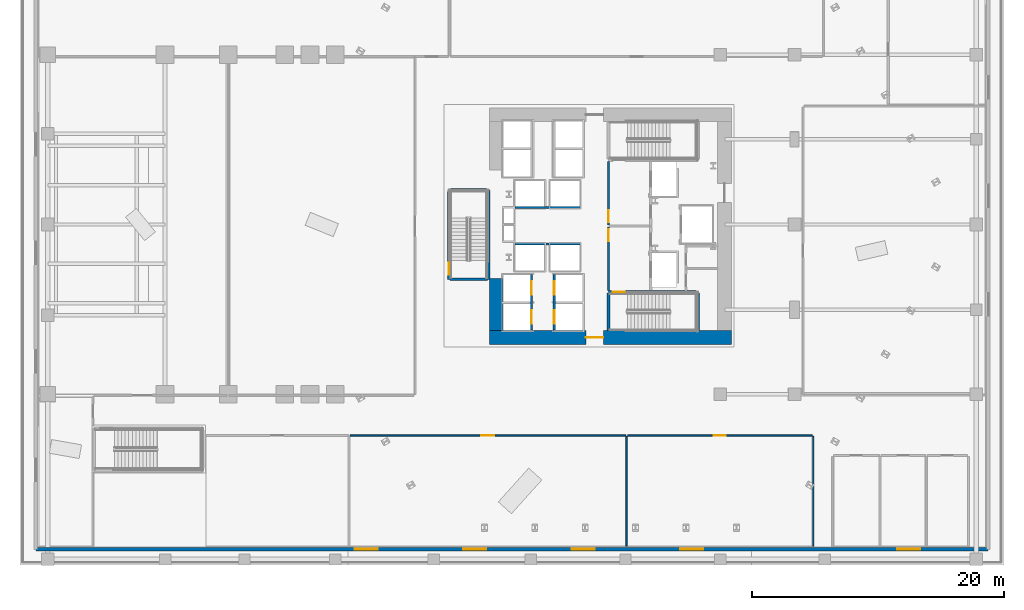
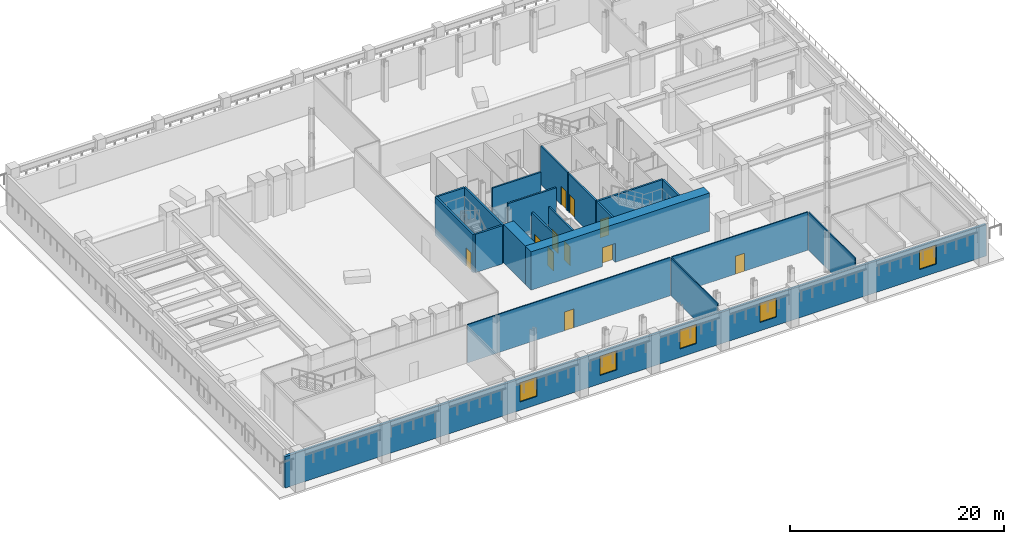
# One storey, part 4 of 18: 20 walls, 11 doors, 5 windows, 16 openings.
"""IFC4 building model written with IfcOpenShell, lengths in metres."""

from ifc_helpers import new_model, si_unit, direction, frame, frame_2d, origin, place, context, subcontext, project, spatial, rectangle, extrude, material, layer, layer_set, type_object, element, fill, save


model = new_model("IFC4")

# Units and contexts
model_context = context("Model", 3, precision=1e-05, world=origin(), true_north=direction((0.0, 1.0)))
body_context = subcontext(model_context, "Body", "Model", "MODEL_VIEW")
ifc_project = project(units=[si_unit("LENGTHUNIT", "METRE"), si_unit("AREAUNIT", "SQUARE_METRE"), si_unit("VOLUMEUNIT", "CUBIC_METRE"), si_unit("PLANEANGLEUNIT", "RADIAN"), si_unit("MASSUNIT", "GRAM", prefix="KILO")], contexts=[model_context])

# Site, building, storey
site_placement = place(None, origin())
site = spatial("IfcSite", under=ifc_project, at=site_placement, CompositionType="ELEMENT")
building_placement = place(site_placement, origin())
building = spatial("IfcBuilding", under=site, at=building_placement, Name="Valkerne Bourse Tower", CompositionType="ELEMENT")
storey_placement = place(building_placement, frame((0.0, 0.0, 14.800048828125)))
storey = spatial("IfcBuildingStorey", under=building, at=storey_placement, Name="L03", CompositionType="ELEMENT", Elevation=14.800048828125)

# Wall, opening, door
ifc_material_1 = material(Name="Concrete C70/85", Category="concrete")
ifc_layer_1 = layer(ifc_material_1, 1.10009765625)
ifc_layer_set_1 = layer_set([ifc_layer_1], Name="Concrete C70/85")
wall_type_1 = type_object("IfcWallType", Name="W-CORE-1100", PredefinedType="SHEAR", material=ifc_layer_set_1)
wall_1_placement = place(storey_placement, frame((37.199951171875, 18.050048828125, 0.0), z_axis=(0.0, 0.0, 1.0), x_axis=(1.0, 0.0, 0.0)))
wall_1 = element("IfcWall", 1, at=wall_1_placement, inside=storey, type_object=wall_type_1, Name="L03 Core Shear Wall SOUTH", PredefinedType="SHEAR", context=body_context, shape_type="SweptSolid", body=[
    extrude(rectangle(XDim=19.199951171875, YDim=1.10009765625, at=frame_2d((9.60009765625, 0.0))), origin(), (0.0, 0.0, 1.0), 4.35986328125),
])
opening_1_placement = place(wall_1_placement, frame((7.64990234375, 0.0, 0.0)))
opening_1 = element("IfcOpeningElement", 2, at=opening_1_placement, cuts=wall_1, Name="Opening D-PL-1400", PredefinedType="OPENING", context=body_context, shape_type="SweptSolid", body=[
    extrude(rectangle(XDim=1.39990234375, YDim=2.14990234375, at=frame_2d((0.699951171875, 1.074951171875))), frame((0.0, 0.56005859375, 0.0), z_axis=(0.0, -1.0, 0.0), x_axis=(1.0, 0.0, 0.0)), (0.0, 0.0, 1.0), 1.1201171875),
])
ifc_material_2 = material(Name="Galvanised Painted Steel", Category="steel")
door_type_1 = type_object("IfcDoorType", Name="DR-PLT-1400", OperationType="DOUBLE_DOOR_SINGLE_SWING", PredefinedType="DOOR", material=ifc_material_2)
door_1_placement = place(opening_1_placement, origin())
door_1 = element("IfcDoor", 3, at=door_1_placement, inside=storey, type_object=door_type_1, Name="L03 South Passenger Lift Hall Fire Door", OperationType="DOUBLE_DOOR_SINGLE_SWING", OverallHeight=2.14990234375, OverallWidth=1.39990234375, PredefinedType="DOOR", context=body_context, shape_type="SweptSolid", body=[
    extrude(rectangle(XDim=1.39990234375, YDim=2.14990234375, at=frame_2d((0.699951171875, 1.074951171875))), frame((0.0, 0.02490234375, 0.0), z_axis=(0.0, -1.0, 0.0), x_axis=(1.0, 0.0, 0.0)), (0.0, 0.0, 1.0), 0.050048828125),
])
fill(opening_1, door_1)

# Walls
wall_2_placement = place(storey_placement, frame((37.75, 18.60009765625, 0.0), z_axis=(0.0, 0.0, 1.0), x_axis=(0.0, 1.0, 0.0)))
element("IfcWall", 4, at=wall_2_placement, inside=storey, type_object=wall_type_1, Name="L03 Core Shear Wall WEST-S", PredefinedType="SHEAR", context=body_context, shape_type="SweptSolid", body=[
    extrude(rectangle(XDim=4.099853515625, YDim=1.10009765625, at=frame_2d((2.0498046875, 0.0))), origin(), (0.0, 0.0, 1.0), 4.35986328125),
])
ifc_material_3 = material(Name="Gypsum Board Steel-Stud Partition", Category="steel")
ifc_layer_2 = layer(ifc_material_3, 0.117919921875)
ifc_layer_set_2 = layer_set([ifc_layer_2], Name="Gypsum Board Steel-Stud Partition")
wall_type_2 = type_object("IfcWallType", Name="W-CORR-140", PredefinedType="PARTITIONING", material=ifc_layer_set_2)
wall_3_placement = place(storey_placement, frame((48.080078125, 1.5, 0.0), z_axis=(0.0, 0.0, 1.0), x_axis=(0.0, 1.0, 0.0)))
element("IfcWall", 5, at=wall_3_placement, inside=storey, type_object=wall_type_2, Name="L03 L03 Committee Conference Room Wall", PredefinedType="PARTITIONING", context=body_context, shape_type="SweptSolid", body=[
    extrude(rectangle(XDim=8.699951171875, YDim=0.117919921875, at=frame_2d((4.35009765625, 0.0))), origin(), (0.0, 0.0, 1.0), 4.35986328125),
])

# Wall, opening, door
wall_4_placement = place(storey_placement, frame((26.159912109375, 10.280029296875, 0.0), z_axis=(0.0, 0.0, 1.0), x_axis=(1.0, 0.0, 0.0)))
wall_4 = element("IfcWall", 6, at=wall_4_placement, inside=storey, type_object=wall_type_2, Name="L03 L03 Committee Conference Room Wall", PredefinedType="PARTITIONING", context=body_context, shape_type="SweptSolid", body=[
    extrude(rectangle(XDim=21.840087890625, YDim=0.117919921875, at=frame_2d((10.919921875, 0.0))), origin(), (0.0, 0.0, 1.0), 4.35986328125),
])
opening_2_placement = place(wall_4_placement, frame((10.419921875, 0.0, 0.0)))
opening_2 = element("IfcOpeningElement", 7, at=opening_2_placement, cuts=wall_4, Name="Opening D-MG-1000", PredefinedType="OPENING", context=body_context, shape_type="SweptSolid", body=[
    extrude(rectangle(XDim=1.0, YDim=2.14990234375, at=frame_2d((0.5, 1.074951171875))), frame((0.0, 0.06884765625, 0.0), z_axis=(0.0, -1.0, 0.0), x_axis=(1.0, 0.0, 0.0)), (0.0, 0.0, 1.0), 0.137939453125),
])
ifc_material_4 = material(Name="Laminated Tempered Safety Glass", Category="glass")
door_type_2 = type_object("IfcDoorType", Name="DR-MTG-1000", OperationType="NOTDEFINED", PredefinedType="DOOR", material=ifc_material_4)
door_2_placement = place(opening_2_placement, origin())
door_2 = element("IfcDoor", 8, at=door_2_placement, inside=storey, type_object=door_type_2, Name="L03 L03 Committee Conference Door", OperationType="SINGLE_SWING_RIGHT", OverallHeight=2.14990234375, OverallWidth=1.0, PredefinedType="DOOR", context=body_context, shape_type="SweptSolid", body=[
    extrude(rectangle(XDim=1.0, YDim=2.14990234375, at=frame_2d((0.5, 1.074951171875))), frame((0.0, 0.02490234375, 0.0), z_axis=(0.0, -1.0, 0.0), x_axis=(1.0, 0.0, 0.0)), (0.0, 0.0, 1.0), 0.050048828125),
])
fill(opening_2, door_2)

# Wall
wall_5_placement = place(storey_placement, frame((62.8798828125, 1.5, 0.0), z_axis=(0.0, 0.0, 1.0), x_axis=(0.0, 1.0, 0.0)))
element("IfcWall", 9, at=wall_5_placement, inside=storey, type_object=wall_type_2, Name="L03 L03 Archive & Supplies Store Wall", PredefinedType="PARTITIONING", context=body_context, shape_type="SweptSolid", body=[
    extrude(rectangle(XDim=8.699951171875, YDim=0.117919921875, at=frame_2d((4.35009765625, 0.0))), origin(), (0.0, 0.0, 1.0), 4.35986328125),
])

# Wall, opening, door
wall_6_placement = place(storey_placement, frame((48.159912109375, 10.280029296875, 0.0), z_axis=(0.0, 0.0, 1.0), x_axis=(1.0, 0.0, 0.0)))
wall_6 = element("IfcWall", 10, at=wall_6_placement, inside=storey, type_object=wall_type_2, Name="L03 L03 Archive & Supplies Store Wall", PredefinedType="PARTITIONING", context=body_context, shape_type="SweptSolid", body=[
    extrude(rectangle(XDim=14.64013671875, YDim=0.117919921875, at=frame_2d((7.320068359375, 0.0))), origin(), (0.0, 0.0, 1.0), 4.35986328125),
])
opening_3_placement = place(wall_6_placement, frame((6.844970703125, 0.0, 0.0)))
opening_3 = element("IfcOpeningElement", 11, at=opening_3_placement, cuts=wall_6, Name="Opening D-SV-950", PredefinedType="OPENING", context=body_context, shape_type="SweptSolid", body=[
    extrude(rectangle(XDim=0.949951171875, YDim=2.050048828125, at=frame_2d((0.47509765625, 1.02490234375))), frame((0.0, 0.06884765625, 0.0), z_axis=(0.0, -1.0, 0.0), x_axis=(1.0, 0.0, 0.0)), (0.0, 0.0, 1.0), 0.137939453125),
])
door_type_3 = type_object("IfcDoorType", Name="DR-SRV-950", OperationType="NOTDEFINED", PredefinedType="DOOR", material=ifc_material_2)
door_3_placement = place(opening_3_placement, origin())
door_3 = element("IfcDoor", 12, at=door_3_placement, inside=storey, type_object=door_type_3, Name="L03 L03 Archive Store Door", OperationType="SINGLE_SWING_RIGHT", OverallHeight=2.050048828125, OverallWidth=0.949951171875, PredefinedType="DOOR", context=body_context, shape_type="SweptSolid", body=[
    extrude(rectangle(XDim=0.949951171875, YDim=2.050048828125, at=frame_2d((0.47509765625, 1.02490234375))), frame((0.0, 0.02490234375, 0.0), z_axis=(0.0, -1.0, 0.0), x_axis=(1.0, 0.0, 0.0)), (0.0, 0.0, 1.0), 0.050048828125),
])
fill(opening_3, door_3)

# Wall, openings, windows
ifc_material_5 = material(Name="Bronze Anodised Aluminium AA 6063-T6", Category="aluminium")
ifc_layer_3 = layer(ifc_material_5, 0.300048828125)
ifc_layer_set_3 = layer_set([ifc_layer_3], Name="Bronze Anodised Aluminium AA 6063-T6")
wall_type_3 = type_object("IfcWallType", Name="W-EXT-ALUM-300", PredefinedType="STANDARD", material=ifc_layer_set_3)
wall_7_placement = place(storey_placement, frame((76.75, 1.25, 0.0), z_axis=(0.0, 0.0, 1.0), x_axis=(-1.0, 0.0, 0.0)))
wall_7 = element("IfcWall", 13, at=wall_7_placement, inside=storey, type_object=wall_type_3, Name="L03 Podium Exterior Wall SOUTH", PredefinedType="STANDARD", context=body_context, shape_type="SweptSolid", body=[
    extrude(rectangle(XDim=75.5, YDim=0.300048828125, at=frame_2d((37.75, 0.0))), origin(), (0.0, 0.0, 1.0), 3.56884765625),
])
opening_4_placement = place(wall_7_placement, frame((5.39990234375, 0.0, 0.949951171875)))
opening_4 = element("IfcOpeningElement", 14, at=opening_4_placement, cuts=wall_7, Name="Opening WN-03", PredefinedType="OPENING", context=body_context, shape_type="SweptSolid", body=[
    extrude(rectangle(XDim=1.800048828125, YDim=2.199951171875, at=frame_2d((0.89990234375, 1.10009765625))), frame((0.0, 0.159912109375, 0.0), z_axis=(0.0, -1.0, 0.0), x_axis=(1.0, 0.0, 0.0)), (0.0, 0.0, 1.0), 0.320068359375),
])
opening_5_placement = place(wall_7_placement, frame((22.60009765625, 0.0, 0.949951171875)))
opening_5 = element("IfcOpeningElement", 15, at=opening_5_placement, cuts=wall_7, Name="Opening WN-03", PredefinedType="OPENING", context=body_context, shape_type="SweptSolid", body=[
    extrude(rectangle(XDim=1.800048828125, YDim=2.199951171875, at=frame_2d((0.89990234375, 1.10009765625))), frame((0.0, 0.159912109375, 0.0), z_axis=(0.0, -1.0, 0.0), x_axis=(1.0, 0.0, 0.0)), (0.0, 0.0, 1.0), 0.320068359375),
])
opening_6_placement = place(wall_7_placement, frame((31.199951171875, 0.0, 0.949951171875)))
opening_6 = element("IfcOpeningElement", 16, at=opening_6_placement, cuts=wall_7, Name="Opening WN-03", PredefinedType="OPENING", context=body_context, shape_type="SweptSolid", body=[
    extrude(rectangle(XDim=1.800048828125, YDim=2.199951171875, at=frame_2d((0.89990234375, 1.10009765625))), frame((0.0, 0.159912109375, 0.0), z_axis=(0.0, -1.0, 0.0), x_axis=(1.0, 0.0, 0.0)), (0.0, 0.0, 1.0), 0.320068359375),
])
opening_7_placement = place(wall_7_placement, frame((39.800048828125, 0.0, 0.949951171875)))
opening_7 = element("IfcOpeningElement", 17, at=opening_7_placement, cuts=wall_7, Name="Opening WN-03", PredefinedType="OPENING", context=body_context, shape_type="SweptSolid", body=[
    extrude(rectangle(XDim=1.800048828125, YDim=2.199951171875, at=frame_2d((0.89990234375, 1.10009765625))), frame((0.0, 0.159912109375, 0.0), z_axis=(0.0, -1.0, 0.0), x_axis=(1.0, 0.0, 0.0)), (0.0, 0.0, 1.0), 0.320068359375),
])
opening_8_placement = place(wall_7_placement, frame((48.39990234375, 0.0, 0.949951171875)))
opening_8 = element("IfcOpeningElement", 18, at=opening_8_placement, cuts=wall_7, Name="Opening WN-03", PredefinedType="OPENING", context=body_context, shape_type="SweptSolid", body=[
    extrude(rectangle(XDim=1.800048828125, YDim=2.199951171875, at=frame_2d((0.89990234375, 1.10009765625))), frame((0.0, 0.159912109375, 0.0), z_axis=(0.0, -1.0, 0.0), x_axis=(1.0, 0.0, 0.0)), (0.0, 0.0, 1.0), 0.320068359375),
])
ifc_material_6 = material(Name="Glass IGU Low-E Double Glazed", Category="glass")
window_type = type_object("IfcWindowType", Name="WIN-POD-1800X2200", PartitioningType="SINGLE_PANEL", PredefinedType="WINDOW", material=ifc_material_6)
window_1_placement = place(opening_4_placement, origin())
window_1 = element("IfcWindow", 19, at=window_1_placement, inside=storey, type_object=window_type, Name="L03 Podium Low-E Window 13", OverallHeight=2.199951171875, OverallWidth=1.800048828125, PartitioningType="SINGLE_PANEL", PredefinedType="WINDOW", context=body_context, shape_type="SweptSolid", body=[
    extrude(rectangle(XDim=1.800048828125, YDim=2.199951171875, at=frame_2d((0.89990234375, 1.10009765625))), frame((0.0, 0.030029296875, 0.0), z_axis=(0.0, -1.0, 0.0), x_axis=(1.0, 0.0, 0.0)), (0.0, 0.0, 1.0), 0.06005859375),
])
fill(opening_4, window_1)
window_2_placement = place(opening_5_placement, origin())
window_2 = element("IfcWindow", 20, at=window_2_placement, inside=storey, type_object=window_type, Name="L03 Podium Low-E Window 14", OverallHeight=2.199951171875, OverallWidth=1.800048828125, PartitioningType="SINGLE_PANEL", PredefinedType="WINDOW", context=body_context, shape_type="SweptSolid", body=[
    extrude(rectangle(XDim=1.800048828125, YDim=2.199951171875, at=frame_2d((0.89990234375, 1.10009765625))), frame((0.0, 0.030029296875, 0.0), z_axis=(0.0, -1.0, 0.0), x_axis=(1.0, 0.0, 0.0)), (0.0, 0.0, 1.0), 0.06005859375),
])
fill(opening_5, window_2)
window_3_placement = place(opening_6_placement, origin())
window_3 = element("IfcWindow", 21, at=window_3_placement, inside=storey, type_object=window_type, Name="L03 Podium Low-E Window 15", OverallHeight=2.199951171875, OverallWidth=1.800048828125, PartitioningType="SINGLE_PANEL", PredefinedType="WINDOW", context=body_context, shape_type="SweptSolid", body=[
    extrude(rectangle(XDim=1.800048828125, YDim=2.199951171875, at=frame_2d((0.89990234375, 1.10009765625))), frame((0.0, 0.030029296875, 0.0), z_axis=(0.0, -1.0, 0.0), x_axis=(1.0, 0.0, 0.0)), (0.0, 0.0, 1.0), 0.06005859375),
])
fill(opening_6, window_3)
window_4_placement = place(opening_7_placement, origin())
window_4 = element("IfcWindow", 22, at=window_4_placement, inside=storey, type_object=window_type, Name="L03 Podium Low-E Window 16", OverallHeight=2.199951171875, OverallWidth=1.800048828125, PartitioningType="SINGLE_PANEL", PredefinedType="WINDOW", context=body_context, shape_type="SweptSolid", body=[
    extrude(rectangle(XDim=1.800048828125, YDim=2.199951171875, at=frame_2d((0.89990234375, 1.10009765625))), frame((0.0, 0.030029296875, 0.0), z_axis=(0.0, -1.0, 0.0), x_axis=(1.0, 0.0, 0.0)), (0.0, 0.0, 1.0), 0.06005859375),
])
fill(opening_7, window_4)
window_5_placement = place(opening_8_placement, origin())
window_5 = element("IfcWindow", 23, at=window_5_placement, inside=storey, type_object=window_type, Name="L03 Podium Low-E Window 17", OverallHeight=2.199951171875, OverallWidth=1.800048828125, PartitioningType="SINGLE_PANEL", PredefinedType="WINDOW", context=body_context, shape_type="SweptSolid", body=[
    extrude(rectangle(XDim=1.800048828125, YDim=2.199951171875, at=frame_2d((0.89990234375, 1.10009765625))), frame((0.0, 0.030029296875, 0.0), z_axis=(0.0, -1.0, 0.0), x_axis=(1.0, 0.0, 0.0)), (0.0, 0.0, 1.0), 0.06005859375),
])
fill(opening_8, window_5)

# Wall, opening, door
ifc_material_7 = material(Name="Gypsum Fire-Rated Shaftwall", Category="gypsum")
ifc_layer_4 = layer(ifc_material_7, 0.179931640625)
ifc_layer_set_4 = layer_set([ifc_layer_4], Name="Gypsum Fire-Rated Shaftwall")
wall_type_4 = type_object("IfcWallType", Name="W-FSAE-180", PredefinedType="PARTITIONING", material=ifc_layer_set_4)
wall_8_placement = place(storey_placement, frame((46.64990234375, 21.75, 0.0), z_axis=(0.0, 0.0, 1.0), x_axis=(0.0, 1.0, 0.0)))
wall_8 = element("IfcWall", 24, at=wall_8_placement, inside=storey, type_object=wall_type_4, Name="L03 FSAE-1 Lobby West Fire Wall", PredefinedType="PARTITIONING", context=body_context, shape_type="SweptSolid", body=[
    extrude(rectangle(XDim=5.050048828125, YDim=0.179931640625, at=frame_2d((2.52490234375, 0.0))), origin(), (0.0, 0.0, 1.0), 4.35986328125),
])
opening_9_placement = place(wall_8_placement, frame((3.919921875, 0.0, 0.0)))
opening_9 = element("IfcOpeningElement", 25, at=opening_9_placement, cuts=wall_8, Name="Opening D-FS-950", PredefinedType="OPENING", context=body_context, shape_type="SweptSolid", body=[
    extrude(rectangle(XDim=0.949951171875, YDim=2.10009765625, at=frame_2d((0.47509765625, 1.050048828125))), frame((0.0, 0.099853515625, 0.0), z_axis=(0.0, -1.0, 0.0), x_axis=(1.0, 0.0, 0.0)), (0.0, 0.0, 1.0), 0.199951171875),
])
door_type_4 = type_object("IfcDoorType", Name="DR-FSAE-950", OperationType="NOTDEFINED", PredefinedType="DOOR", material=ifc_material_2)
door_4_placement = place(opening_9_placement, origin())
door_4 = element("IfcDoor", 26, at=door_4_placement, inside=storey, type_object=door_type_4, Name="L03 FSAE-1 Hall Link Fire Door", OperationType="SINGLE_SWING_LEFT", OverallHeight=2.10009765625, OverallWidth=0.949951171875, PredefinedType="DOOR", context=body_context, shape_type="SweptSolid", body=[
    extrude(rectangle(XDim=0.949951171875, YDim=2.10009765625, at=frame_2d((0.47509765625, 1.050048828125))), frame((0.0, 0.02490234375, 0.0), z_axis=(0.0, -1.0, 0.0), x_axis=(1.0, 0.0, 0.0)), (0.0, 0.0, 1.0), 0.050048828125),
])
fill(opening_9, door_4)

wall_9_placement = place(storey_placement, frame((46.64990234375, 26.9599609375, 0.0), z_axis=(0.0, 0.0, 1.0), x_axis=(0.0, 1.0, 0.0)))
wall_9 = element("IfcWall", 27, at=wall_9_placement, inside=storey, type_object=wall_type_4, Name="L03 FSAE-2 Lobby West Fire Wall", PredefinedType="PARTITIONING", context=body_context, shape_type="SweptSolid", body=[
    extrude(rectangle(XDim=5.0400390625, YDim=0.179931640625, at=frame_2d((2.52001953125, 0.0))), origin(), (0.0, 0.0, 1.0), 4.35986328125),
])
opening_10_placement = place(wall_9_placement, frame((0.219970703125, 0.0, 0.0)))
opening_10 = element("IfcOpeningElement", 28, at=opening_10_placement, cuts=wall_9, Name="Opening D-FS-950", PredefinedType="OPENING", context=body_context, shape_type="SweptSolid", body=[
    extrude(rectangle(XDim=0.949951171875, YDim=2.10009765625, at=frame_2d((0.47509765625, 1.050048828125))), frame((0.0, 0.099853515625, 0.0), z_axis=(0.0, -1.0, 0.0), x_axis=(1.0, 0.0, 0.0)), (0.0, 0.0, 1.0), 0.199951171875),
])
door_5_placement = place(opening_10_placement, origin())
door_5 = element("IfcDoor", 29, at=door_5_placement, inside=storey, type_object=door_type_4, Name="L03 FSAE-2 Hall Link Fire Door", OperationType="SINGLE_SWING_LEFT", OverallHeight=2.10009765625, OverallWidth=0.949951171875, PredefinedType="DOOR", context=body_context, shape_type="SweptSolid", body=[
    extrude(rectangle(XDim=0.949951171875, YDim=2.10009765625, at=frame_2d((0.47509765625, 1.050048828125))), frame((0.0, 0.02490234375, 0.0), z_axis=(0.0, -1.0, 0.0), x_axis=(1.0, 0.0, 0.0)), (0.0, 0.0, 1.0), 0.050048828125),
])
fill(opening_10, door_5)

# Wall, openings, doors
ifc_material_8 = material(Name="CMU Blockwork Masonry 200mm", Category="masonry")
ifc_layer_5 = layer(ifc_material_8, 0.179931640625)
ifc_layer_set_5 = layer_set([ifc_layer_5], Name="CMU Blockwork Masonry 200mm")
wall_type_5 = type_object("IfcWallType", Name="W-LFT-180", PredefinedType="SOLIDWALL", material=ifc_layer_set_5)
wall_10_placement = place(storey_placement, frame((40.550048828125, 18.6201171875, 0.0), z_axis=(0.0, 0.0, 1.0), x_axis=(0.0, 1.0, 0.0)))
wall_10 = element("IfcWall", 30, at=wall_10_placement, inside=storey, type_object=wall_type_5, Name="L03 Low-Zone West Cars Front Wall", PredefinedType="SOLIDWALL", context=body_context, shape_type="SweptSolid", body=[
    extrude(rectangle(XDim=4.429931640625, YDim=0.179931640625, at=frame_2d((2.21484375, 0.0))), origin(), (0.0, 0.0, 1.0), 4.35986328125),
])
opening_11_placement = place(wall_10_placement, frame((0.5, 0.0, 0.0)))
opening_11 = element("IfcOpeningElement", 31, at=opening_11_placement, cuts=wall_10, Name="Opening LD-1100", PredefinedType="OPENING", context=body_context, shape_type="SweptSolid", body=[
    extrude(rectangle(XDim=1.10009765625, YDim=2.14990234375, at=frame_2d((0.550048828125, 1.074951171875))), frame((0.0, 0.099853515625, 0.0), z_axis=(0.0, -1.0, 0.0), x_axis=(1.0, 0.0, 0.0)), (0.0, 0.0, 1.0), 0.199951171875),
])
opening_12_placement = place(wall_10_placement, frame((2.800048828125, 0.0, 0.0)))
opening_12 = element("IfcOpeningElement", 32, at=opening_12_placement, cuts=wall_10, Name="Opening LD-1100", PredefinedType="OPENING", context=body_context, shape_type="SweptSolid", body=[
    extrude(rectangle(XDim=1.10009765625, YDim=2.14990234375, at=frame_2d((0.550048828125, 1.074951171875))), frame((0.0, 0.099853515625, 0.0), z_axis=(0.0, -1.0, 0.0), x_axis=(1.0, 0.0, 0.0)), (0.0, 0.0, 1.0), 0.199951171875),
])
ifc_material_9 = material(Name="Stainless Steel AISI 316", Category="steel")
door_type_5 = type_object("IfcDoorType", Name="DR-LIFT-1100", OperationType="DOUBLE_DOOR_SLIDING", PredefinedType="DOOR", material=ifc_material_9)
door_6_placement = place(opening_11_placement, origin())
door_6 = element("IfcDoor", 33, at=door_6_placement, inside=storey, type_object=door_type_5, Name="L03 Passenger Lift PL-L1 Sliding Landing Door", OperationType="DOUBLE_DOOR_SLIDING", OverallHeight=2.14990234375, OverallWidth=1.10009765625, PredefinedType="DOOR", context=body_context, shape_type="SweptSolid", body=[
    extrude(rectangle(XDim=1.10009765625, YDim=2.14990234375, at=frame_2d((0.550048828125, 1.074951171875))), frame((0.0, 0.02490234375, 0.0), z_axis=(0.0, -1.0, 0.0), x_axis=(1.0, 0.0, 0.0)), (0.0, 0.0, 1.0), 0.050048828125),
])
fill(opening_11, door_6)
door_7_placement = place(opening_12_placement, origin())
door_7 = element("IfcDoor", 34, at=door_7_placement, inside=storey, type_object=door_type_5, Name="L03 Passenger Lift PL-L2 Sliding Landing Door", OperationType="DOUBLE_DOOR_SLIDING", OverallHeight=2.14990234375, OverallWidth=1.10009765625, PredefinedType="DOOR", context=body_context, shape_type="SweptSolid", body=[
    extrude(rectangle(XDim=1.10009765625, YDim=2.14990234375, at=frame_2d((0.550048828125, 1.074951171875))), frame((0.0, 0.02490234375, 0.0), z_axis=(0.0, -1.0, 0.0), x_axis=(1.0, 0.0, 0.0)), (0.0, 0.0, 1.0), 0.050048828125),
])
fill(opening_12, door_7)

wall_11_placement = place(storey_placement, frame((42.35009765625, 18.6201171875, 0.0), z_axis=(0.0, 0.0, 1.0), x_axis=(0.0, 1.0, 0.0)))
wall_11 = element("IfcWall", 35, at=wall_11_placement, inside=storey, type_object=wall_type_5, Name="L03 Low-Zone East Cars Front Wall", PredefinedType="SOLIDWALL", context=body_context, shape_type="SweptSolid", body=[
    extrude(rectangle(XDim=4.429931640625, YDim=0.179931640625, at=frame_2d((2.21484375, 0.0))), origin(), (0.0, 0.0, 1.0), 4.35986328125),
])
opening_13_placement = place(wall_11_placement, frame((0.5, 0.0, 0.0)))
opening_13 = element("IfcOpeningElement", 36, at=opening_13_placement, cuts=wall_11, Name="Opening LD-1100", PredefinedType="OPENING", context=body_context, shape_type="SweptSolid", body=[
    extrude(rectangle(XDim=1.10009765625, YDim=2.14990234375, at=frame_2d((0.550048828125, 1.074951171875))), frame((0.0, 0.099853515625, 0.0), z_axis=(0.0, -1.0, 0.0), x_axis=(1.0, 0.0, 0.0)), (0.0, 0.0, 1.0), 0.199951171875),
])
opening_14_placement = place(wall_11_placement, frame((2.800048828125, 0.0, 0.0)))
opening_14 = element("IfcOpeningElement", 37, at=opening_14_placement, cuts=wall_11, Name="Opening LD-1100", PredefinedType="OPENING", context=body_context, shape_type="SweptSolid", body=[
    extrude(rectangle(XDim=1.10009765625, YDim=2.14990234375, at=frame_2d((0.550048828125, 1.074951171875))), frame((0.0, 0.099853515625, 0.0), z_axis=(0.0, -1.0, 0.0), x_axis=(1.0, 0.0, 0.0)), (0.0, 0.0, 1.0), 0.199951171875),
])
door_8_placement = place(opening_13_placement, origin())
door_8 = element("IfcDoor", 38, at=door_8_placement, inside=storey, type_object=door_type_5, Name="L03 Passenger Lift PL-L3 Sliding Landing Door", OperationType="DOUBLE_DOOR_SLIDING", OverallHeight=2.14990234375, OverallWidth=1.10009765625, PredefinedType="DOOR", context=body_context, shape_type="SweptSolid", body=[
    extrude(rectangle(XDim=1.10009765625, YDim=2.14990234375, at=frame_2d((0.550048828125, 1.074951171875))), frame((0.0, 0.02490234375, 0.0), z_axis=(0.0, -1.0, 0.0), x_axis=(1.0, 0.0, 0.0)), (0.0, 0.0, 1.0), 0.050048828125),
])
fill(opening_13, door_8)
door_9_placement = place(opening_14_placement, origin())
door_9 = element("IfcDoor", 39, at=door_9_placement, inside=storey, type_object=door_type_5, Name="L03 Passenger Lift PL-L4 Sliding Landing Door", OperationType="DOUBLE_DOOR_SLIDING", OverallHeight=2.14990234375, OverallWidth=1.10009765625, PredefinedType="DOOR", context=body_context, shape_type="SweptSolid", body=[
    extrude(rectangle(XDim=1.10009765625, YDim=2.14990234375, at=frame_2d((0.550048828125, 1.074951171875))), frame((0.0, 0.02490234375, 0.0), z_axis=(0.0, -1.0, 0.0), x_axis=(1.0, 0.0, 0.0)), (0.0, 0.0, 1.0), 0.050048828125),
])
fill(opening_14, door_9)

# Walls
for number, where, z_axis, x_axis, name in (
    (40, (39.25, 25.449951171875, 0.0), (0.0, 0.0, 1.0), (1.0, 0.0, 0.0), "L03 High-Zone South Cars Front Wall"),
    (41, (39.25, 28.35009765625, 0.0), (0.0, 0.0, 1.0), (1.0, 0.0, 0.0), "L03 High-Zone North Cars Front Wall"),
):
    element("IfcWall", number, at=place(storey_placement, frame(where, z_axis=z_axis, x_axis=x_axis)), inside=storey, type_object=wall_type_5, Name=name, PredefinedType="SOLIDWALL", context=body_context, shape_type="SweptSolid", body=[
        extrude(rectangle(XDim=5.199951171875, YDim=0.179931640625, at=frame_2d((2.60009765625, 0.0))), origin(), (0.0, 0.0, 1.0), 4.35986328125),
    ])

# Wall, opening, door
ifc_material_10 = material(Name="Concrete C40/50", Category="concrete")
ifc_layer_6 = layer(ifc_material_10, 0.199951171875)
ifc_layer_set_6 = layer_set([ifc_layer_6], Name="Concrete C40/50")
wall_type_6 = type_object("IfcWallType", Name="W-SHF-200", PredefinedType="SHEAR", material=ifc_layer_set_6)
wall_12_placement = place(storey_placement, frame((46.64990234375, 21.64990234375, 0.0), z_axis=(0.0, 0.0, 1.0), x_axis=(1.0, 0.0, 0.0)))
wall_12 = element("IfcWall", 42, at=wall_12_placement, inside=storey, type_object=wall_type_6, Name="L03 Exit Stair ST-1 Structural Shaft Wall North", PredefinedType="SHEAR", context=body_context, shape_type="SweptSolid", body=[
    extrude(rectangle(XDim=7.10009765625, YDim=0.199951171875, at=frame_2d((3.550048828125, 0.0))), origin(), (0.0, 0.0, 1.0), 4.35986328125),
])
opening_15_placement = place(wall_12_placement, frame((0.35009765625, 0.0, 0.0)))
opening_15 = element("IfcOpeningElement", 43, at=opening_15_placement, cuts=wall_12, Name="Opening D-ST-950", PredefinedType="OPENING", context=body_context, shape_type="SweptSolid", body=[
    extrude(rectangle(XDim=0.949951171875, YDim=2.10009765625, at=frame_2d((0.47509765625, 1.050048828125))), frame((0.0, 0.10986328125, 0.0), z_axis=(0.0, -1.0, 0.0), x_axis=(1.0, 0.0, 0.0)), (0.0, 0.0, 1.0), 0.219970703125),
])
door_type_6 = type_object("IfcDoorType", Name="DR-STAIR-950", OperationType="NOTDEFINED", PredefinedType="DOOR", material=ifc_material_2)
door_10_placement = place(opening_15_placement, origin())
door_10 = element("IfcDoor", 44, at=door_10_placement, inside=storey, type_object=door_type_6, Name="L03 Exit Stair ST-1 Door", OperationType="SINGLE_SWING_RIGHT", OverallHeight=2.10009765625, OverallWidth=0.949951171875, PredefinedType="DOOR", context=body_context, shape_type="SweptSolid", body=[
    extrude(rectangle(XDim=0.949951171875, YDim=2.10009765625, at=frame_2d((0.47509765625, 1.050048828125))), frame((0.0, 0.02490234375, 0.0), z_axis=(0.0, -1.0, 0.0), x_axis=(1.0, 0.0, 0.0)), (0.0, 0.0, 1.0), 0.050048828125),
])
fill(opening_15, door_10)

# Walls
for number, where, z_axis, x_axis, name in (
    (45, (46.64990234375, 18.60009765625, 0.0), (0.0, 0.0, 1.0), (0.0, 1.0, 0.0), "L03 Exit Stair ST-1 Structural Shaft Wall West"),
    (46, (53.75, 18.60009765625, 0.0), (0.0, 0.0, 1.0), (0.0, 1.0, 0.0), "L03 Exit Stair ST-1 Structural Shaft Wall East"),
):
    element("IfcWall", number, at=place(storey_placement, frame(where, z_axis=z_axis, x_axis=x_axis)), inside=storey, type_object=wall_type_6, Name=name, PredefinedType="SHEAR", context=body_context, shape_type="SweptSolid", body=[
        extrude(rectangle(XDim=2.949951171875, YDim=0.199951171875, at=frame_2d((1.47509765625, 0.0))), origin(), (0.0, 0.0, 1.0), 4.35986328125),
    ])

# Wall, opening, door
wall_13_placement = place(storey_placement, frame((34.0, 22.64990234375, 0.0), z_axis=(0.0, 0.0, 1.0), x_axis=(0.0, 1.0, 0.0)))
wall_13 = element("IfcWall", 47, at=wall_13_placement, inside=storey, type_object=wall_type_6, Name="L03 Exit Stair ST-3 Structural Shaft Wall West", PredefinedType="SHEAR", context=body_context, shape_type="SweptSolid", body=[
    extrude(rectangle(XDim=7.10009765625, YDim=0.199951171875, at=frame_2d((3.550048828125, 0.0))), origin(), (0.0, 0.0, 1.0), 4.35986328125),
])
opening_16_placement = place(wall_13_placement, frame((0.35009765625, 0.0, 0.0)))
opening_16 = element("IfcOpeningElement", 48, at=opening_16_placement, cuts=wall_13, Name="Opening D-ST-950", PredefinedType="OPENING", context=body_context, shape_type="SweptSolid", body=[
    extrude(rectangle(XDim=0.949951171875, YDim=2.10009765625, at=frame_2d((0.47509765625, 1.050048828125))), frame((0.0, 0.10986328125, 0.0), z_axis=(0.0, -1.0, 0.0), x_axis=(1.0, 0.0, 0.0)), (0.0, 0.0, 1.0), 0.219970703125),
])
door_11_placement = place(opening_16_placement, origin())
door_11 = element("IfcDoor", 49, at=door_11_placement, inside=storey, type_object=door_type_6, Name="L03 Exit Stair ST-3 Door", OperationType="SINGLE_SWING_RIGHT", OverallHeight=2.10009765625, OverallWidth=0.949951171875, PredefinedType="DOOR", context=body_context, shape_type="SweptSolid", body=[
    extrude(rectangle(XDim=0.949951171875, YDim=2.10009765625, at=frame_2d((0.47509765625, 1.050048828125))), frame((0.0, 0.02490234375, 0.0), z_axis=(0.0, -1.0, 0.0), x_axis=(1.0, 0.0, 0.0)), (0.0, 0.0, 1.0), 0.050048828125),
])
fill(opening_16, door_11)

# Walls
for number, where, z_axis, x_axis, name in (
    (50, (34.10009765625, 22.64990234375, 0.0), (0.0, 0.0, 1.0), (1.0, 0.0, 0.0), "L03 Exit Stair ST-3 Structural Shaft Wall South"),
    (51, (34.10009765625, 29.75, 0.0), (0.0, 0.0, 1.0), (1.0, 0.0, 0.0), "L03 Exit Stair ST-3 Structural Shaft Wall North"),
):
    element("IfcWall", number, at=place(storey_placement, frame(where, z_axis=z_axis, x_axis=x_axis)), inside=storey, type_object=wall_type_6, Name=name, PredefinedType="SHEAR", context=body_context, shape_type="SweptSolid", body=[
        extrude(rectangle(XDim=2.949951171875, YDim=0.199951171875, at=frame_2d((1.47509765625, 0.0))), origin(), (0.0, 0.0, 1.0), 4.35986328125),
    ])
wall_14_placement = place(storey_placement, frame((37.14990234375, 22.64990234375, 0.0), z_axis=(0.0, 0.0, 1.0), x_axis=(0.0, 1.0, 0.0)))
element("IfcWall", 52, at=wall_14_placement, inside=storey, type_object=wall_type_6, Name="L03 Exit Stair ST-3 Structural Shaft Wall East", PredefinedType="SHEAR", context=body_context, shape_type="SweptSolid", body=[
    extrude(rectangle(XDim=7.10009765625, YDim=0.199951171875, at=frame_2d((3.550048828125, 0.0))), origin(), (0.0, 0.0, 1.0), 4.35986328125),
])

save(model, "model.ifc")
